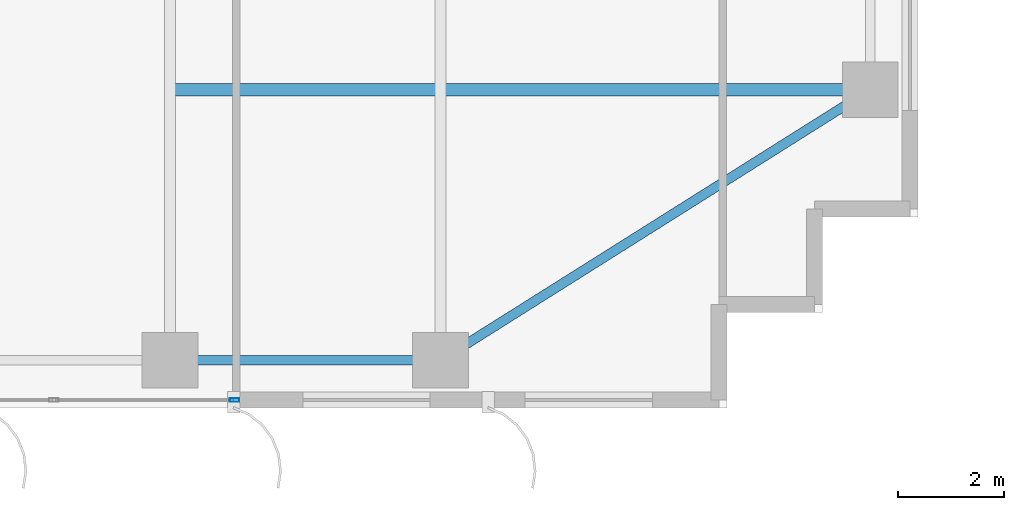
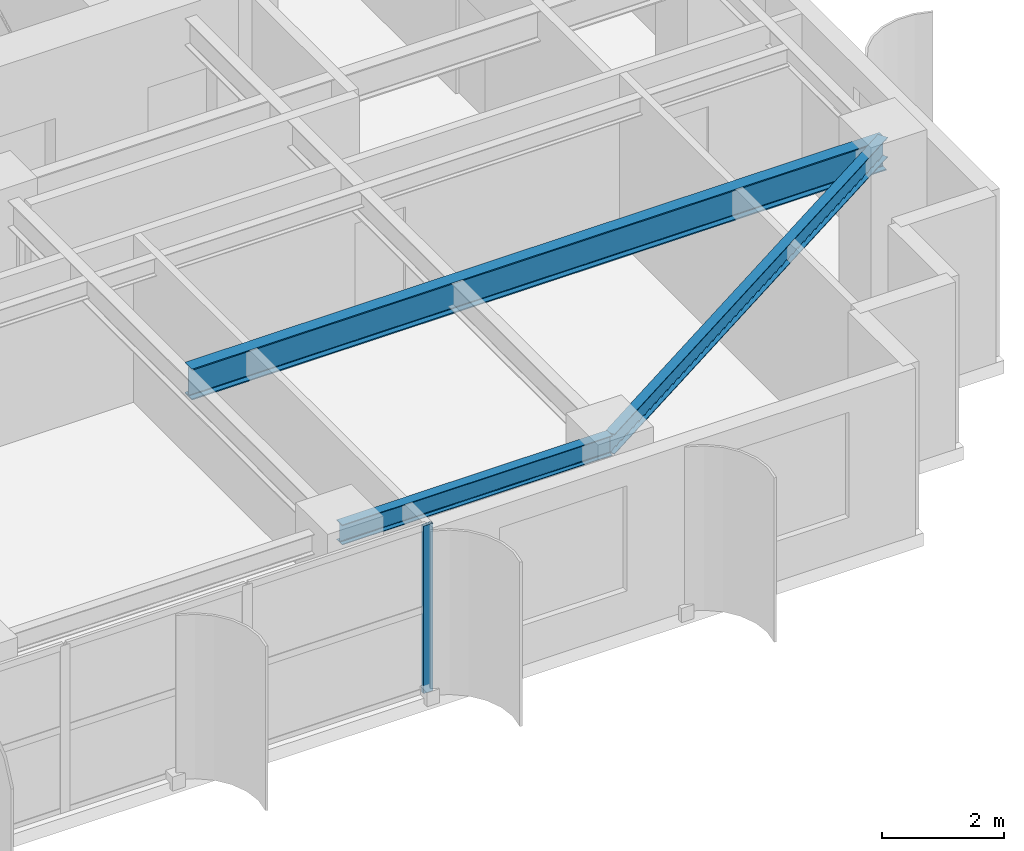
# One storey, part 9 of 26: 3 beams, 1 member, 1 element without a shape of its own.
"""IFC4 building model written with IfcOpenShell, lengths in metres."""

from ifc_helpers import new_model, si_unit, direction, frame, origin, origin_2d, place, context, subcontext, project, spatial, hollow_rectangle, i_section, extrude, source, transform, mapped, material, layer, layer_set, material_profile, profile_set, type_object, element, aggregate, save


model = new_model("IFC4")

# Units and contexts
model_context = context("Model", 3, precision=1e-05, world=origin(), true_north=direction((0.0, 1.0)))
body_context = subcontext(model_context, "Body", "Model", "MODEL_VIEW")
ifc_project = project(units=[si_unit("LENGTHUNIT", "METRE"), si_unit("AREAUNIT", "SQUARE_METRE"), si_unit("VOLUMEUNIT", "CUBIC_METRE"), si_unit("PLANEANGLEUNIT", "RADIAN"), si_unit("MASSUNIT", "GRAM", prefix="KILO")], contexts=[model_context])

# Site, building, storey
site_placement = place(None, origin())
site = spatial("IfcSite", under=ifc_project, at=site_placement, CompositionType="ELEMENT")
building_placement = place(site_placement, origin())
building = spatial("IfcBuilding", under=site, at=building_placement, Name="Khoralis Quay Care Tower", CompositionType="ELEMENT")
storey_placement = place(building_placement, frame((0.0, 0.0, 126.89990234375)))
storey = spatial("IfcBuildingStorey", under=building, at=storey_placement, Name="L33", CompositionType="ELEMENT", Elevation=126.89990234375)

# Beams
ifc_material_1 = material(Name="Steel S355", Category="steel")
ifc_material_profile_1 = material_profile(ifc_material_1, i_section(OverallWidth=0.179931640625, OverallDepth=0.39990234375, WebThickness=0.008544921875, FlangeThickness=0.013427734375, FilletRadius=0.02099609375, at=origin_2d()), Name="Steel S355")
ifc_profile_set_1 = profile_set([ifc_material_profile_1], Name="Steel S355")
beam_type_1 = type_object("IfcBeamType", Name="BM-IPE400", PredefinedType="SPANDREL", material=ifc_profile_set_1)
shared_shape_1 = source(origin(), body_context, "Body", "SweptSolid", [
    extrude(i_section(OverallWidth=0.179931640625, OverallDepth=0.39990234375, WebThickness=0.008544921875, FlangeThickness=0.013427734375, FilletRadius=0.02099609375, at=origin_2d()), origin(), (0.0, 0.0, 1.0), 5.10009765625),
])
beam_1_placement = place(storey_placement, frame((30.89990234375, 0.89990234375, 3.14013671875), z_axis=(1.0, 0.0, 0.0), x_axis=(0.0, 1.0, 0.0)))
element("IfcBeam", 1, at=beam_1_placement, inside=storey, type_object=beam_type_1, Name="BM-TSP-L33-05", PredefinedType="SPANDREL", context=body_context, shape_type="MappedRepresentation", body=[
    mapped(shared_shape_1, transform((0.0, 0.0, 0.0), scale=1.0)),
])
shared_shape_2 = source(origin(), body_context, "Body", "SweptSolid", [
    extrude(i_section(OverallWidth=0.179931640625, OverallDepth=0.39990234375, WebThickness=0.008544921875, FlangeThickness=0.013427734375, FilletRadius=0.02099609375, at=origin_2d()), origin(), (0.0, 0.0, 1.0), 9.572021484375),
])
beam_2_placement = place(storey_placement, frame((36.0, 0.89990234375, 3.14013671875), z_axis=(0.846231136359, 0.532815975602, 0.0), x_axis=(-0.532815975602, 0.846231136359, 0.0)))
element("IfcBeam", 2, at=beam_2_placement, inside=storey, type_object=beam_type_1, Name="BM-TCR-L33-22", PredefinedType="SPANDREL", context=body_context, shape_type="MappedRepresentation", body=[
    mapped(shared_shape_2, transform((0.0, 0.0, 0.0), scale=1.0)),
])
ifc_material_profile_2 = material_profile(ifc_material_1, i_section(OverallWidth=0.22998046875, OverallDepth=0.616943359375, WebThickness=0.01318359375, FlangeThickness=0.022216796875, FilletRadius=0.01806640625, at=origin_2d()), Name="Steel S355")
ifc_profile_set_2 = profile_set([ifc_material_profile_2], Name="Steel S355")
beam_type_2 = type_object("IfcBeamType", Name="BM-W610X140", PredefinedType="BEAM", material=ifc_profile_set_2)
shared_shape_3 = source(origin(), body_context, "Body", "SweptSolid", [
    extrude(i_section(OverallWidth=0.22998046875, OverallDepth=0.616943359375, WebThickness=0.01318359375, FlangeThickness=0.022216796875, FilletRadius=0.01806640625, at=origin_2d()), origin(), (0.0, 0.0, 1.0), 13.106201171875),
])
beam_3_placement = place(storey_placement, frame((30.993896484375, 6.0, 3.031494140625), z_axis=(1.0, 0.0, 0.0), x_axis=(0.0, 1.0, 0.0)))
element("IfcBeam", 3, at=beam_3_placement, inside=storey, type_object=beam_type_2, Name="BM-TGXE-L33-60", PredefinedType="BEAM", context=body_context, shape_type="MappedRepresentation", body=[
    mapped(shared_shape_3, transform((0.0, 0.0, 0.0), scale=1.0)),
])

# Curtain wall, member
ifc_material_2 = material(Name="Pale anodised aluminium", Category="aluminium")
ifc_layer = layer(ifc_material_2, 0.169921875)
ifc_layer_set = layer_set([ifc_layer], Name="Pale anodised aluminium")
curtain_wall_type = type_object("IfcCurtainWallType", Name="CW-SYS-Z2", PredefinedType="NOTDEFINED", material=ifc_layer_set)
curtain_wall_placement = place(storey_placement, origin())
curtain_wall = element("IfcCurtainWall", 4, at=curtain_wall_placement, inside=storey, type_object=curtain_wall_type, Name="L33 Unitised Curtain Wall CW-L33-P1-E0", PredefinedType="NOTDEFINED")
ifc_material_profile_3 = material_profile(ifc_material_2, hollow_rectangle(XDim=0.06494140625, YDim=0.179931640625, WallThickness=0.00390625, at=origin_2d()), Name="Pale anodised aluminium")
ifc_profile_set_3 = profile_set([ifc_material_profile_3], Name="Pale anodised aluminium")
member_type = type_object("IfcMemberType", Name="CW-MUL-180", PredefinedType="MULLION", material=ifc_profile_set_3)
shared_shape_4 = source(origin(), body_context, "Body", "SweptSolid", [
    extrude(hollow_rectangle(XDim=0.06494140625, YDim=0.179931640625, WallThickness=0.00390625, at=origin_2d()), origin(), (0.0, 0.0, 1.0), 3.340087890625),
])
member_placement = place(storey_placement, frame((32.1201171875, 0.14990234375, 0.0), z_axis=(0.0, 0.0, 1.0), x_axis=(0.0, 1.0, 0.0)))
member = element("IfcMember", 5, at=member_placement, type_object=member_type, Name="CW2 mullion 6", PredefinedType="MULLION", context=body_context, shape_type="MappedRepresentation", body=[
    mapped(shared_shape_4, transform((0.0, 0.0, 0.0), scale=1.0)),
])
aggregate(curtain_wall, [member])

save(model, "model.ifc")
